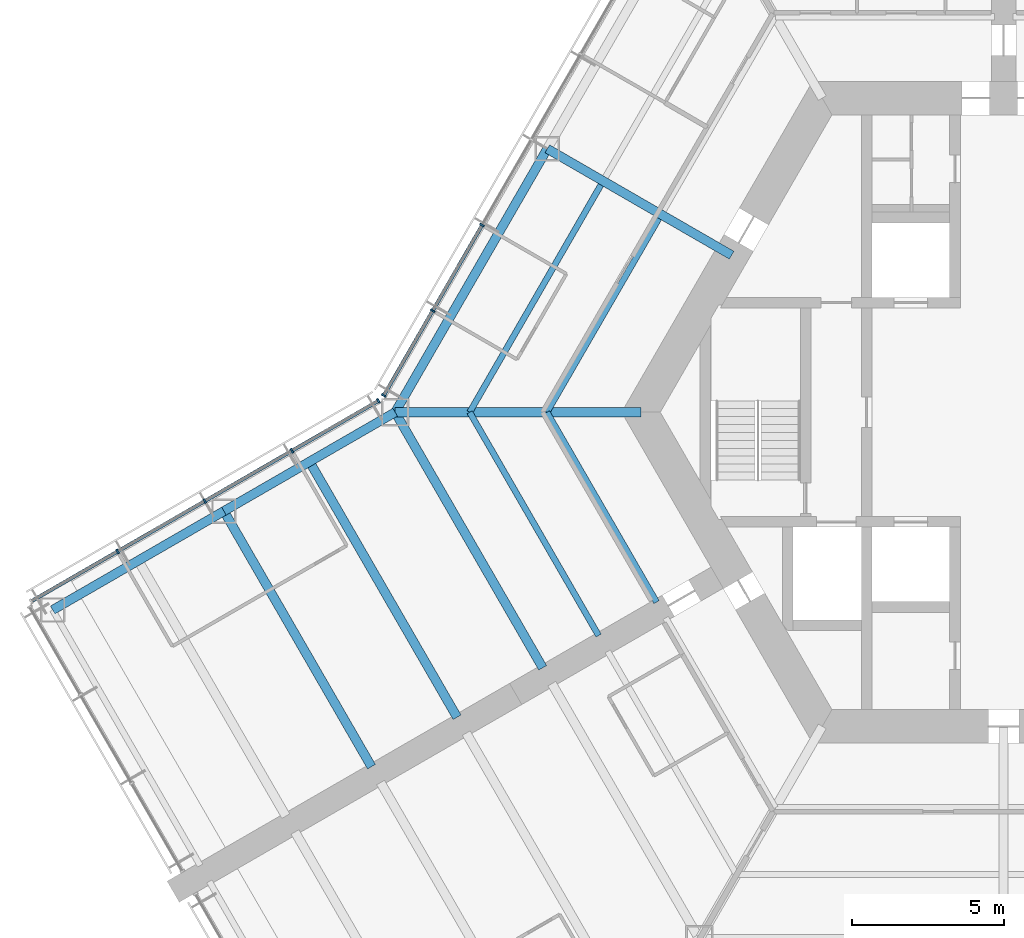
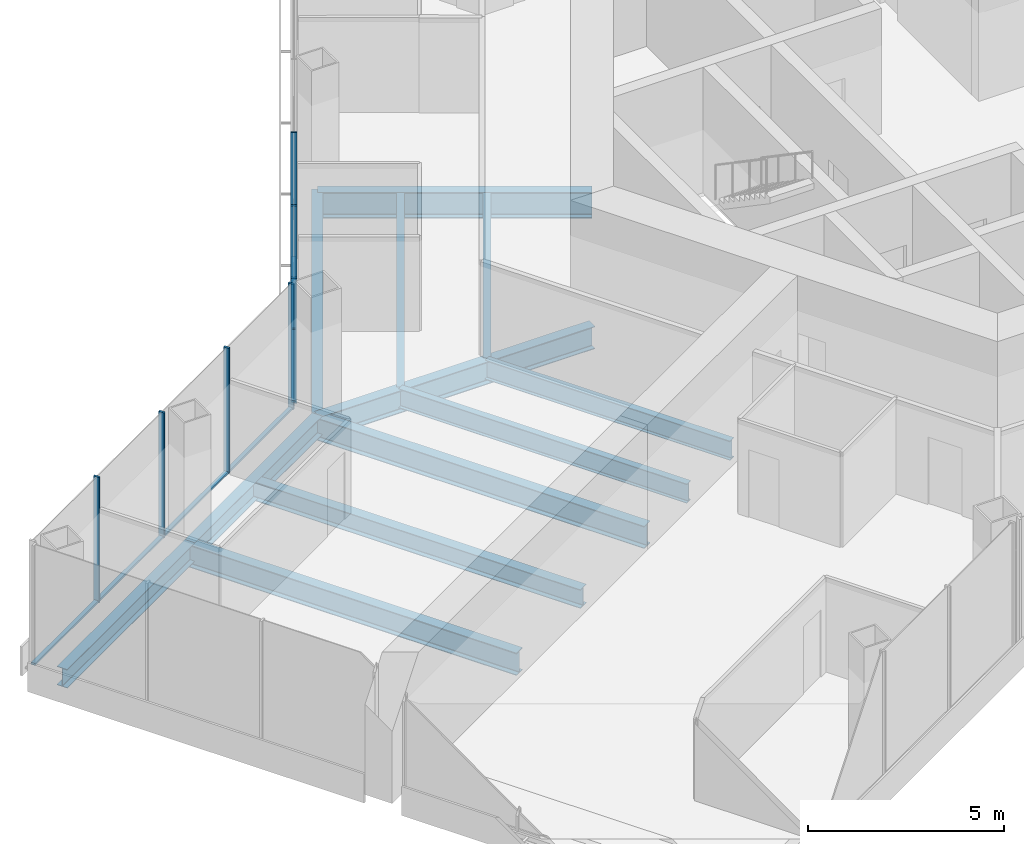
# One storey, part 4 of 18: 13 members, 12 beams, 2 elements without a shape of their own.
"""IFC4 building model written with IfcOpenShell, lengths in metres."""

from ifc_helpers import new_model, si_unit, direction, frame, origin, origin_2d, place, context, subcontext, project, spatial, rectangle, i_section, extrude, material, material_profile, profile_set, type_object, element, aggregate, save


model = new_model("IFC4")

# Units and contexts
model_context = context("Model", 3, precision=1e-05, world=origin(), true_north=direction((0.0, 1.0)))
body_context = subcontext(model_context, "Body", "Model", "MODEL_VIEW")
ifc_project = project(units=[si_unit("LENGTHUNIT", "METRE"), si_unit("AREAUNIT", "SQUARE_METRE"), si_unit("VOLUMEUNIT", "CUBIC_METRE"), si_unit("PLANEANGLEUNIT", "RADIAN"), si_unit("MASSUNIT", "GRAM", prefix="KILO")], contexts=[model_context])

# Site, building, storey
site_placement = place(None, origin())
site = spatial("IfcSite", under=ifc_project, at=site_placement, CompositionType="ELEMENT")
building_placement = place(site_placement, origin())
building = spatial("IfcBuilding", under=site, at=building_placement, Name="Kasaneha Research Tower", CompositionType="ELEMENT")
storey_placement = place(building_placement, frame((0.0, 0.0, 69.0)))
storey = spatial("IfcBuildingStorey", under=building, at=storey_placement, Name="L17", CompositionType="ELEMENT", Elevation=69.0)

# Beams
ifc_material_1 = material(Name="Steel SN490B", Category="steel")
ifc_material_profile_1 = material_profile(ifc_material_1, i_section(OverallWidth=0.199951171875, OverallDepth=0.60009765625, WebThickness=0.010986328125, FlangeThickness=0.01708984375, FilletRadius=0.012939453125, at=origin_2d()), Name="H-600x200x11x17")
ifc_profile_set_1 = profile_set([ifc_material_profile_1], Name="Steel SN490B")
beam_type_1 = type_object("IfcBeamType", Name="B1-3 secondary beam H-600x200x11x17", PredefinedType="JOIST", material=ifc_profile_set_1)
beam_1_placement = place(storey_placement, frame((-15.010986328125, 0.0, -0.449951171875), z_axis=(0.499994443168, 0.866028611999, 0.0), x_axis=(-0.866028611999, 0.499994443168, 0.0)))
element("IfcBeam", 1, at=beam_1_placement, inside=storey, type_object=beam_type_1, Name="Secondary beam RS150R1 L17", PredefinedType="JOIST", context=body_context, shape_type="SweptSolid", body=[
    extrude(i_section(OverallWidth=0.199951171875, OverallDepth=0.60009765625, WebThickness=0.010986328125, FlangeThickness=0.01708984375, FilletRadius=0.012939453125, at=origin_2d()), origin(), (0.0, 0.0, 1.0), 7.35546875),
])
beam_2_placement = place(storey_placement, frame((-17.551513671875, 0.0, -0.449951171875), z_axis=(0.5000050195, 0.866022505755, 0.0), x_axis=(-0.866022505755, 0.5000050195, 0.0)))
element("IfcBeam", 2, at=beam_2_placement, inside=storey, type_object=beam_type_1, Name="Secondary beam RS150R2 L17", PredefinedType="JOIST", context=body_context, shape_type="SweptSolid", body=[
    extrude(i_section(OverallWidth=0.199951171875, OverallDepth=0.60009765625, WebThickness=0.010986328125, FlangeThickness=0.01708984375, FilletRadius=0.012939453125, at=origin_2d()), origin(), (0.0, 0.0, 1.0), 8.6259765625),
])
beam_3_placement = place(storey_placement, frame((-15.010986328125, 0.0, -0.449951171875), z_axis=(0.499972735707, -0.866041144259, 0.0), x_axis=(0.866041144259, 0.499972735707, 0.0)))
element("IfcBeam", 3, at=beam_3_placement, inside=storey, type_object=beam_type_1, Name="Secondary beam RS210L1 L17", PredefinedType="JOIST", context=body_context, shape_type="SweptSolid", body=[
    extrude(i_section(OverallWidth=0.199951171875, OverallDepth=0.60009765625, WebThickness=0.010986328125, FlangeThickness=0.01708984375, FilletRadius=0.012939453125, at=origin_2d()), origin(), (0.0, 0.0, 1.0), 7.20556640625),
])
beam_4_placement = place(storey_placement, frame((-17.551513671875, 0.0, -0.449951171875), z_axis=(0.500020829043, -0.866013377797, 0.0), x_axis=(0.866013377797, 0.500020829043, 0.0)))
element("IfcBeam", 4, at=beam_4_placement, inside=storey, type_object=beam_type_1, Name="Secondary beam RS210L2 L17", PredefinedType="JOIST", context=body_context, shape_type="SweptSolid", body=[
    extrude(i_section(OverallWidth=0.199951171875, OverallDepth=0.60009765625, WebThickness=0.010986328125, FlangeThickness=0.01708984375, FilletRadius=0.012939453125, at=origin_2d()), origin(), (0.0, 0.0, 1.0), 8.475830078125),
])
ifc_material_2 = material(Name="Steel SN490B", Category="steel")
ifc_material_profile_2 = material_profile(ifc_material_2, i_section(OverallWidth=0.300048828125, OverallDepth=0.58203125, WebThickness=0.011962890625, FlangeThickness=0.01708984375, FilletRadius=0.012939453125, at=origin_2d()), Name="H-582x300x12x17")
ifc_profile_set_2 = profile_set([ifc_material_profile_2], Name="Steel SN490B")
beam_type_2 = type_object("IfcBeamType", Name="B2-3 secondary beam H-582x300x12x17", PredefinedType="JOIST", material=ifc_profile_set_2)
beam_5_placement = place(storey_placement, frame((-22.814697265625, -1.625, -0.44091796875), z_axis=(0.500010041276, -0.866019606374, 0.0), x_axis=(0.866019606374, 0.500010041276, 0.0)))
element("IfcBeam", 5, at=beam_5_placement, inside=storey, type_object=beam_type_2, Name="Secondary beam WBBP1 L17", PredefinedType="JOIST", context=body_context, shape_type="SweptSolid", body=[
    extrude(i_section(OverallWidth=0.300048828125, OverallDepth=0.58203125, WebThickness=0.011962890625, FlangeThickness=0.01708984375, FilletRadius=0.012939453125, at=origin_2d()), origin(), (0.0, 0.0, 1.0), 9.699951171875),
])

# Curtain wall, members
ifc_material_3 = material(Name="Glass and aluminium", Category="aluminium")
curtain_wall_type = type_object("IfcCurtainWallType", Name="Low-rise office curtain wall", PredefinedType="USERDEFINED", material=ifc_material_3)
curtain_wall_1_placement = place(storey_placement, origin())
curtain_wall_1 = element("IfcCurtainWall", 6, at=curtain_wall_1_placement, inside=storey, type_object=curtain_wall_type, Name="CW-O1 L17 run 12a", ObjectType="UNITISED CURTAIN WALL", PredefinedType="USERDEFINED")
ifc_material_4 = material(Name="Aluminium 6063-T6", Category="aluminium")
ifc_material_profile_3 = material_profile(ifc_material_4, rectangle(XDim=0.06005859375, YDim=0.159912109375, at=origin_2d()), Name="CW-O1 mullion 60x160")
ifc_profile_set_3 = profile_set([ifc_material_profile_3], Name="Aluminium 6063-T6")
member_type_1 = type_object("IfcMemberType", Name="CW-O1 mullion", PredefinedType="MULLION", material=ifc_profile_set_3)
member_1_placement = place(storey_placement, frame((-17.142822265625, 6.148681640625, 0.0), z_axis=(0.0, 0.0, 1.0), x_axis=(-0.49999996188, -0.866025425793, 0.0)))
member_1 = element("IfcMember", 7, at=member_1_placement, type_object=member_type_1, Name="CW-O1 mullion 5", PredefinedType="MULLION", context=body_context, shape_type="SweptSolid", body=[
    extrude(rectangle(XDim=0.06005859375, YDim=0.159912109375, at=origin_2d()), origin(), (0.0, 0.0, 1.0), 3.89990234375),
])
member_2_placement = place(storey_placement, frame((-18.76611328125, 3.33740234375, 0.0), z_axis=(0.0, 0.0, 1.0), x_axis=(-0.49999996188, -0.866025425793, 0.0)))
member_2 = element("IfcMember", 8, at=member_2_placement, type_object=member_type_1, Name="CW-O1 mullion 6", PredefinedType="MULLION", context=body_context, shape_type="SweptSolid", body=[
    extrude(rectangle(XDim=0.06005859375, YDim=0.159912109375, at=origin_2d()), origin(), (0.0, 0.0, 1.0), 3.89990234375),
])
member_3_placement = place(storey_placement, frame((-20.374267578125, 0.5517578125, 0.0), z_axis=(0.0, 0.0, 1.0), x_axis=(-0.49999996188, -0.866025425793, 0.0)))
member_3 = element("IfcMember", 9, at=member_3_placement, type_object=member_type_1, Name="CW-O1 mullion 7", PredefinedType="MULLION", context=body_context, shape_type="SweptSolid", body=[
    extrude(rectangle(XDim=0.06005859375, YDim=0.159912109375, at=origin_2d()), origin(), (0.0, 0.0, 1.0), 3.89990234375),
])

curtain_wall_2_placement = place(storey_placement, origin())
curtain_wall_2 = element("IfcCurtainWall", 10, at=curtain_wall_2_placement, inside=storey, type_object=curtain_wall_type, Name="CW-O1 L17 run 13a", ObjectType="UNITISED CURTAIN WALL", PredefinedType="USERDEFINED")
member_4_placement = place(storey_placement, frame((-20.5517578125, 0.374267578125, 0.0), z_axis=(0.0, 0.0, 1.0), x_axis=(-0.866025411464, -0.499999986699, 0.0)))
member_4 = element("IfcMember", 11, at=member_4_placement, type_object=member_type_1, Name="CW-O1 mullion 1", PredefinedType="MULLION", context=body_context, shape_type="SweptSolid", body=[
    extrude(rectangle(XDim=0.06005859375, YDim=0.159912109375, at=origin_2d()), origin(), (0.0, 0.0, 1.0), 3.89990234375),
])
member_5_placement = place(storey_placement, frame((-23.39208984375, -1.265625, 0.0), z_axis=(0.0, 0.0, 1.0), x_axis=(-0.866025411464, -0.499999986699, 0.0)))
member_5 = element("IfcMember", 12, at=member_5_placement, type_object=member_type_1, Name="CW-O1 mullion 2", PredefinedType="MULLION", context=body_context, shape_type="SweptSolid", body=[
    extrude(rectangle(XDim=0.06005859375, YDim=0.159912109375, at=origin_2d()), origin(), (0.0, 0.0, 1.0), 3.89990234375),
])
member_6_placement = place(storey_placement, frame((-26.258544921875, -2.920654296875, 0.0), z_axis=(0.0, 0.0, 1.0), x_axis=(-0.866025411464, -0.499999986699, 0.0)))
member_6 = element("IfcMember", 13, at=member_6_placement, type_object=member_type_1, Name="CW-O1 mullion 3", PredefinedType="MULLION", context=body_context, shape_type="SweptSolid", body=[
    extrude(rectangle(XDim=0.06005859375, YDim=0.159912109375, at=origin_2d()), origin(), (0.0, 0.0, 1.0), 3.89990234375),
])
member_7_placement = place(storey_placement, frame((-29.125, -4.575439453125, 0.0), z_axis=(0.0, 0.0, 1.0), x_axis=(-0.866025411464, -0.499999986699, 0.0)))
member_7 = element("IfcMember", 14, at=member_7_placement, type_object=member_type_1, Name="CW-O1 mullion 4", PredefinedType="MULLION", context=body_context, shape_type="SweptSolid", body=[
    extrude(rectangle(XDim=0.06005859375, YDim=0.159912109375, at=origin_2d()), origin(), (0.0, 0.0, 1.0), 3.89990234375),
])

# Member
ifc_material_5 = material(Name="Aluminium 6063-T6", Category="aluminium")
ifc_material_profile_4 = material_profile(ifc_material_5, rectangle(XDim=0.1201171875, YDim=0.06005859375, at=origin_2d()), Name="CW-O1 transom 120x60")
ifc_profile_set_4 = profile_set([ifc_material_profile_4], Name="Aluminium 6063-T6")
member_type_2 = type_object("IfcMemberType", Name="CW-O1 transom", PredefinedType="USERDEFINED", material=ifc_profile_set_4)
member_8_placement = place(storey_placement, frame((-17.15771484375, 6.122802734375, 0.030029296875), z_axis=(-0.500012062035, -0.866018439653, 0.0), x_axis=(0.866018439653, -0.500012062035, 0.0)))
member_8 = element("IfcMember", 15, at=member_8_placement, type_object=member_type_2, Name="CW-O1 transom 5", ObjectType="TRANSOM", PredefinedType="USERDEFINED", context=body_context, shape_type="SweptSolid", body=[
    extrude(rectangle(XDim=0.1201171875, YDim=0.06005859375, at=origin_2d()), origin(), (0.0, 0.0, 1.0), 3.1865234375),
])

member_9_placement = place(storey_placement, frame((-18.781005859375, 3.311279296875, 0.030029296875), z_axis=(-0.499999210213, -0.866025859768, 0.0), x_axis=(0.866025859768, -0.499999210213, 0.0)))
member_9 = element("IfcMember", 16, at=member_9_placement, type_object=member_type_2, Name="CW-O1 transom 6", ObjectType="TRANSOM", PredefinedType="USERDEFINED", context=body_context, shape_type="SweptSolid", body=[
    extrude(rectangle(XDim=0.1201171875, YDim=0.06005859375, at=origin_2d()), origin(), (0.0, 0.0, 1.0), 3.15625),
])

aggregate(curtain_wall_1, [member_1, member_2, member_3, member_8, member_9])

member_10_placement = place(storey_placement, frame((-20.577880859375, 0.359130859375, 0.030029296875), z_axis=(-0.866022692473, -0.500004696101, 0.0), x_axis=(0.500004696101, -0.866022692473, 0.0)))
member_10 = element("IfcMember", 17, at=member_10_placement, type_object=member_type_2, Name="CW-O1 transom 1", ObjectType="TRANSOM", PredefinedType="USERDEFINED", context=body_context, shape_type="SweptSolid", body=[
    extrude(rectangle(XDim=0.1201171875, YDim=0.06005859375, at=origin_2d()), origin(), (0.0, 0.0, 1.0), 3.2197265625),
])

member_11_placement = place(storey_placement, frame((-23.418212890625, -1.28076171875, 0.030029296875), z_axis=(-0.86604797581, -0.499960902066, 0.0), x_axis=(0.499960902066, -0.86604797581, 0.0)))
member_11 = element("IfcMember", 18, at=member_11_placement, type_object=member_type_2, Name="CW-O1 transom 2", ObjectType="TRANSOM", PredefinedType="USERDEFINED", context=body_context, shape_type="SweptSolid", body=[
    extrude(rectangle(XDim=0.1201171875, YDim=0.06005859375, at=origin_2d()), origin(), (0.0, 0.0, 1.0), 3.249755859375),
])

member_12_placement = place(storey_placement, frame((-26.28466796875, -2.935546875, 0.030029296875), z_axis=(-0.86599666273, -0.500049777664, 0.0), x_axis=(0.500049777664, -0.86599666273, 0.0)))
member_12 = element("IfcMember", 19, at=member_12_placement, type_object=member_type_2, Name="CW-O1 transom 3", ObjectType="TRANSOM", PredefinedType="USERDEFINED", context=body_context, shape_type="SweptSolid", body=[
    extrude(rectangle(XDim=0.1201171875, YDim=0.06005859375, at=origin_2d()), origin(), (0.0, 0.0, 1.0), 3.249755859375),
])

member_13_placement = place(storey_placement, frame((-29.15087890625, -4.590576171875, 0.030029296875), z_axis=(-0.866041647767, -0.499971863542, 0.0), x_axis=(0.499971863542, -0.866041647767, 0.0)))
member_13 = element("IfcMember", 20, at=member_13_placement, type_object=member_type_2, Name="CW-O1 transom 4", ObjectType="TRANSOM", PredefinedType="USERDEFINED", context=body_context, shape_type="SweptSolid", body=[
    extrude(rectangle(XDim=0.1201171875, YDim=0.06005859375, at=origin_2d()), origin(), (0.0, 0.0, 1.0), 3.219970703125),
])

aggregate(curtain_wall_2, [member_4, member_5, member_6, member_7, member_10, member_11, member_12, member_13])

# Beams
ifc_material_6 = material(Name="Steel SN490B", Category="steel")
ifc_material_profile_5 = material_profile(ifc_material_6, i_section(OverallWidth=0.300048828125, OverallDepth=0.699951171875, WebThickness=0.012939453125, FlangeThickness=0.02392578125, FilletRadius=0.01806640625, at=origin_2d()), Name="H-700x300x13x24")
ifc_profile_set_5 = profile_set([ifc_material_profile_5], Name="Steel SN490B")
beam_type_3 = type_object("IfcBeamType", Name="G1-3 radial girder H-700x300x13x24", PredefinedType="BEAM", material=ifc_profile_set_5)
beam_6_placement = place(storey_placement, frame((-11.92236328125, 0.0, -0.5), z_axis=(-1.0, 0.0, 0.0), x_axis=(0.0, -1.0, 0.0)))
element("IfcBeam", 21, at=beam_6_placement, inside=storey, type_object=beam_type_3, Name="Radial girder RV180 L17", PredefinedType="BEAM", context=body_context, shape_type="SweptSolid", body=[
    extrude(i_section(OverallWidth=0.300048828125, OverallDepth=0.699951171875, WebThickness=0.012939453125, FlangeThickness=0.02392578125, FilletRadius=0.01806640625, at=origin_2d()), origin(), (0.0, 0.0, 1.0), 8.07763671875),
])
ifc_material_7 = material(Name="Steel SN490B", Category="steel")
ifc_material_profile_6 = material_profile(ifc_material_7, i_section(OverallWidth=0.300048828125, OverallDepth=0.800048828125, WebThickness=0.013916015625, FlangeThickness=0.02587890625, FilletRadius=0.01806640625, at=origin_2d()), Name="H-800x300x14x26")
ifc_profile_set_6 = profile_set([ifc_material_profile_6], Name="Steel SN490B")
beam_type_4 = type_object("IfcBeamType", Name="G2-3 radial girder H-800x300x14x26", PredefinedType="BEAM", material=ifc_profile_set_6)
beam_7_placement = place(storey_placement, frame((-8.941650390625, 5.16259765625, -0.550048828125), z_axis=(-0.866039713508, 0.499975214012, 0.0), x_axis=(-0.499975214012, -0.866039713508, 0.0)))
element("IfcBeam", 22, at=beam_7_placement, inside=storey, type_object=beam_type_4, Name="Radial girder RM150 L17", PredefinedType="BEAM", context=body_context, shape_type="SweptSolid", body=[
    extrude(i_section(OverallWidth=0.300048828125, OverallDepth=0.800048828125, WebThickness=0.013916015625, FlangeThickness=0.02587890625, FilletRadius=0.01806640625, at=origin_2d()), origin(), (0.0, 0.0, 1.0), 6.995361328125),
])
ifc_material_8 = material(Name="Steel SN490B", Category="steel")
ifc_material_profile_7 = material_profile(ifc_material_8, i_section(OverallWidth=0.300048828125, OverallDepth=0.69189453125, WebThickness=0.012939453125, FlangeThickness=0.02001953125, FilletRadius=0.01806640625, at=origin_2d()), Name="H-692x300x13x20")
ifc_profile_set_7 = profile_set([ifc_material_profile_7], Name="Steel SN490B")
beam_type_5 = type_object("IfcBeamType", Name="G3-3 plate edge girder H-692x300x13x20", PredefinedType="BEAM", material=ifc_profile_set_7)
beam_8_placement = place(storey_placement, frame((-20.0, 0.0, -0.49609375), z_axis=(0.500010041276, -0.866019606374, 0.0), x_axis=(0.866019606374, 0.500010041276, 0.0)))
element("IfcBeam", 23, at=beam_8_placement, inside=storey, type_object=beam_type_5, Name="Plate edge girder PEBP L17", PredefinedType="BEAM", context=body_context, shape_type="SweptSolid", body=[
    extrude(i_section(OverallWidth=0.300048828125, OverallDepth=0.69189453125, WebThickness=0.012939453125, FlangeThickness=0.02001953125, FilletRadius=0.01806640625, at=origin_2d()), origin(), (0.0, 0.0, 1.0), 9.699951171875),
])
ifc_material_9 = material(Name="Steel SN490B", Category="steel")
ifc_material_profile_8 = material_profile(ifc_material_9, i_section(OverallWidth=0.300048828125, OverallDepth=0.699951171875, WebThickness=0.012939453125, FlangeThickness=0.02392578125, FilletRadius=0.01806640625, at=origin_2d()), Name="H-700x300x13x24")
ifc_profile_set_8 = profile_set([ifc_material_profile_8], Name="Steel SN490B")
beam_type_6 = type_object("IfcBeamType", Name="G4-3 wing girder H-700x300x13x24", PredefinedType="BEAM", material=ifc_profile_set_8)
beam_9_placement = place(storey_placement, frame((-25.629150390625, -3.25, -0.5), z_axis=(0.500010041276, -0.866019606374, 0.0), x_axis=(0.866019606374, 0.500010041276, 0.0)))
element("IfcBeam", 24, at=beam_9_placement, inside=storey, type_object=beam_type_6, Name="Wing girder WGBP L17", PredefinedType="BEAM", context=body_context, shape_type="SweptSolid", body=[
    extrude(i_section(OverallWidth=0.300048828125, OverallDepth=0.699951171875, WebThickness=0.012939453125, FlangeThickness=0.02392578125, FilletRadius=0.01806640625, at=origin_2d()), origin(), (0.0, 0.0, 1.0), 9.699951171875),
])
ifc_material_10 = material(Name="Steel SN490B", Category="steel")
ifc_material_profile_9 = material_profile(ifc_material_10, i_section(OverallWidth=0.300048828125, OverallDepth=0.69189453125, WebThickness=0.012939453125, FlangeThickness=0.02001953125, FilletRadius=0.01806640625, at=origin_2d()), Name="H-692x300x13x20")
ifc_profile_set_9 = profile_set([ifc_material_profile_9], Name="Steel SN490B")
beam_type_7 = type_object("IfcBeamType", Name="SB1-3 spandrel beam H-692x300x13x20", PredefinedType="SPANDREL", material=ifc_profile_set_9)
beam_10_placement = place(storey_placement, frame((-20.0, 0.0, -0.49609375), z_axis=(0.500004234368, 0.866022959057, 0.0), x_axis=(-0.866022959057, 0.500004234368, 0.0)))
element("IfcBeam", 25, at=beam_10_placement, inside=storey, type_object=beam_type_7, Name="Spandrel beam SR150R L17", PredefinedType="SPANDREL", context=body_context, shape_type="SweptSolid", body=[
    extrude(i_section(OverallWidth=0.300048828125, OverallDepth=0.69189453125, WebThickness=0.012939453125, FlangeThickness=0.02001953125, FilletRadius=0.01806640625, at=origin_2d()), origin(), (0.0, 0.0, 1.0), 10.0),
])
ifc_material_11 = material(Name="Steel SN490B", Category="steel")
ifc_material_profile_10 = material_profile(ifc_material_11, i_section(OverallWidth=0.300048828125, OverallDepth=0.58203125, WebThickness=0.011962890625, FlangeThickness=0.01708984375, FilletRadius=0.012939453125, at=origin_2d()), Name="H-582x300x12x17")
ifc_profile_set_10 = profile_set([ifc_material_profile_10], Name="Steel SN490B")
beam_type_8 = type_object("IfcBeamType", Name="SB2-3 spandrel beam H-582x300x12x17", PredefinedType="SPANDREL", material=ifc_profile_set_10)
for number, where, z_axis, x_axis, name in (
    (26, (-20.0, 0.0, -0.44091796875), (-0.866024837091, -0.50000098154, 0.0), (0.50000098154, -0.866024837091, 0.0), "Spandrel beam WSBP1 L17"),
    (27, (-25.629150390625, -3.25, -0.44091796875), (-0.866024837091, -0.50000098154, 0.0), (0.50000098154, -0.866024837091, 0.0), "Spandrel beam WSBP2 L17"),
):
    element("IfcBeam", number, at=place(storey_placement, frame(where, z_axis=z_axis, x_axis=x_axis)), inside=storey, type_object=beam_type_8, Name=name, PredefinedType="SPANDREL", context=body_context, shape_type="SweptSolid", body=[
        extrude(i_section(OverallWidth=0.300048828125, OverallDepth=0.58203125, WebThickness=0.011962890625, FlangeThickness=0.01708984375, FilletRadius=0.012939453125, at=origin_2d()), origin(), (0.0, 0.0, 1.0), 6.5),
    ])

save(model, "model.ifc")
